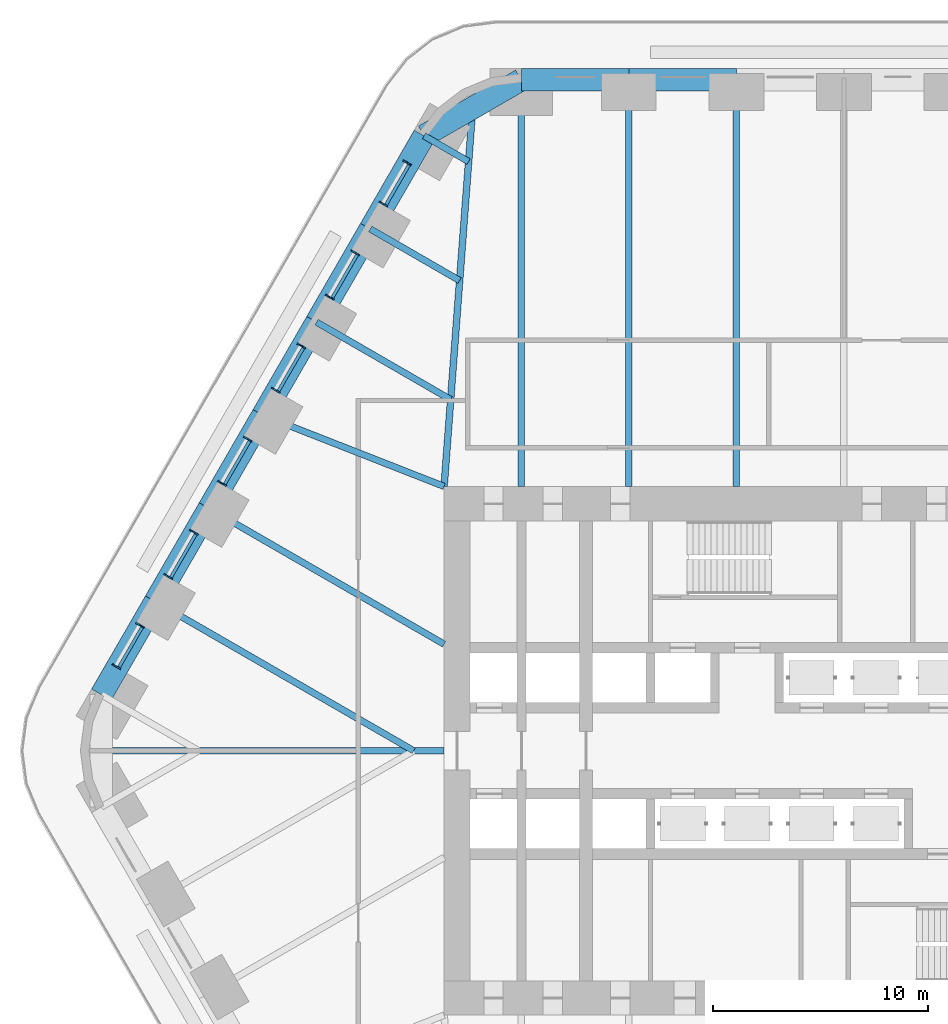
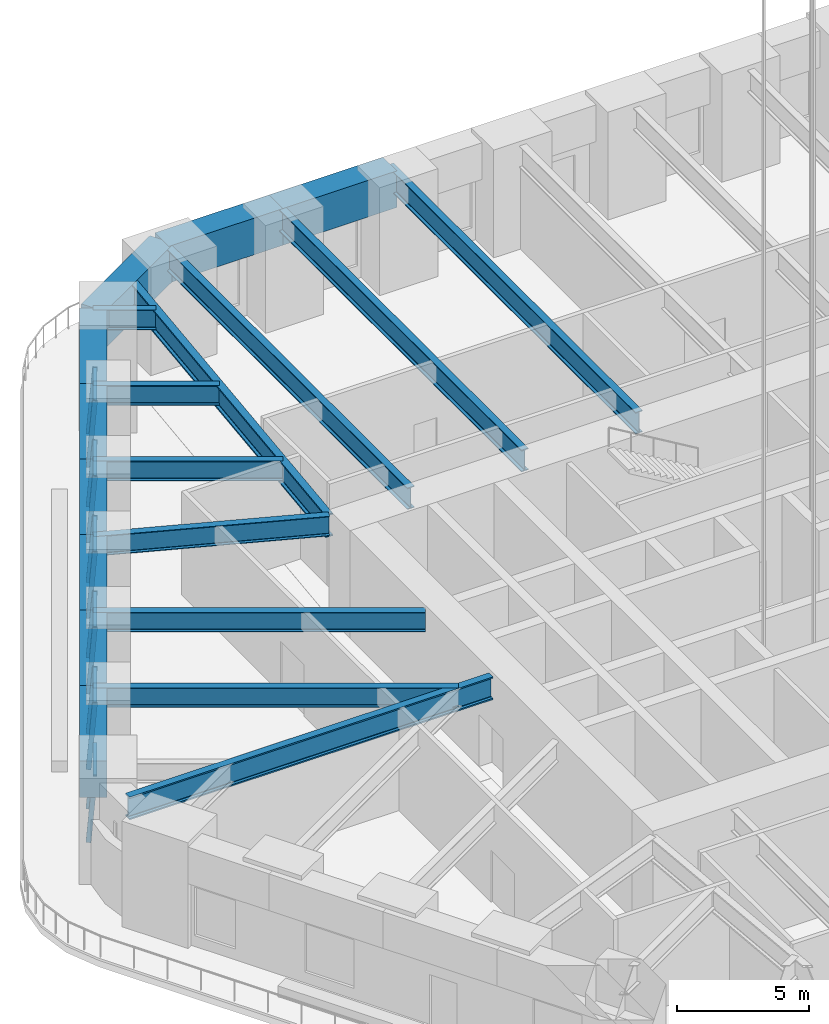
# One storey, part 4 of 15: 20 beams, 18 members, 6 elements without a shape of their own.
"""IFC4 building model written with IfcOpenShell, lengths in metres."""

from ifc_helpers import new_model, si_unit, direction, frame, origin, origin_2d, place, context, subcontext, project, spatial, rectangle, i_section, extrude, material, material_profile, profile_set, type_object, element, aggregate, save


model = new_model("IFC4")

# Units and contexts
model_context = context("Model", 3, precision=1e-05, world=origin(), true_north=direction((0.0, 1.0)))
body_context = subcontext(model_context, "Body", "Model", "MODEL_VIEW")
ifc_project = project(units=[si_unit("LENGTHUNIT", "METRE"), si_unit("AREAUNIT", "SQUARE_METRE"), si_unit("VOLUMEUNIT", "CUBIC_METRE"), si_unit("PLANEANGLEUNIT", "RADIAN"), si_unit("MASSUNIT", "GRAM", prefix="KILO")], contexts=[model_context])

# Site, building, storey
site_placement = place(None, origin())
site = spatial("IfcSite", under=ifc_project, at=site_placement, CompositionType="ELEMENT")
building_placement = place(site_placement, origin())
building = spatial("IfcBuilding", under=site, at=building_placement, Name="Tarfa Lantern Tower", CompositionType="ELEMENT")
storey_placement = place(building_placement, frame((0.0, 0.0, 114.5)))
storey = spatial("IfcBuildingStorey", under=building, at=storey_placement, Name="L25", CompositionType="ELEMENT", Elevation=114.5)

# Curtain wall, members
ifc_material_1 = material(Name="Aluminium framed curtain wall", Category="aluminium")
curtain_wall_type = type_object("IfcCurtainWallType", Name="CW5 CANTED GLAZING SKY LOBBY 3100", PredefinedType="USERDEFINED", material=ifc_material_1)
curtain_wall_1_placement = place(storey_placement, origin())
curtain_wall_1 = element("IfcCurtainWall", 1, at=curtain_wall_1_placement, inside=storey, type_object=curtain_wall_type, Name="CW5 NW L25", ObjectType="CURTAIN WALL", PredefinedType="USERDEFINED")
ifc_material_2 = material(Name="Aluminium mullion", Category="aluminium")
ifc_material_profile_1 = material_profile(ifc_material_2, rectangle(XDim=0.06494140625, YDim=0.199951171875, at=origin_2d()), Name="AL MULLION 65x200")
ifc_profile_set_1 = profile_set([ifc_material_profile_1], Name="Aluminium mullion")
member_type_1 = type_object("IfcMemberType", Name="CWM1 MULLION 65x200", PredefinedType="MULLION", material=ifc_profile_set_1)
member_1_placement = place(storey_placement, frame((-20.428955078125, 27.416015625, 0.0), z_axis=(0.069627412985, -0.040190795319, 0.99676312298), x_axis=(0.499919672301, 0.866071776036, 0.0)))
member_1 = element("IfcMember", 2, at=member_1_placement, type_object=member_type_1, Name="CW5 mullion 1", PredefinedType="MULLION", context=body_context, shape_type="SweptSolid", body=[
    extrude(rectangle(XDim=0.06494140625, YDim=0.199951171875, at=origin_2d()), origin(), (0.0, 0.0, 1.0), 3.110107421875),
])
member_2_placement = place(storey_placement, frame((-21.53564453125, 25.4990234375, 0.0), z_axis=(0.069549295252, -0.040191014864, 0.99676856785), x_axis=(0.500342721131, 0.865827443207, 0.0)))
member_2 = element("IfcMember", 3, at=member_2_placement, type_object=member_type_1, Name="CW5 mullion 2", PredefinedType="MULLION", context=body_context, shape_type="SweptSolid", body=[
    extrude(rectangle(XDim=0.06494140625, YDim=0.199951171875, at=origin_2d()), origin(), (0.0, 0.0, 1.0), 3.110107421875),
])

curtain_wall_2_placement = place(storey_placement, origin())
curtain_wall_2 = element("IfcCurtainWall", 4, at=curtain_wall_2_placement, inside=storey, type_object=curtain_wall_type, Name="CW5 NW L25", ObjectType="CURTAIN WALL", PredefinedType="USERDEFINED")
member_3_placement = place(storey_placement, frame((-22.84326171875, 23.234375, 0.0), z_axis=(0.069627412985, -0.040190795319, 0.99676312298), x_axis=(0.499919672301, 0.866071776036, 0.0)))
member_3 = element("IfcMember", 5, at=member_3_placement, type_object=member_type_1, Name="CW5 mullion 1", PredefinedType="MULLION", context=body_context, shape_type="SweptSolid", body=[
    extrude(rectangle(XDim=0.06494140625, YDim=0.199951171875, at=origin_2d()), origin(), (0.0, 0.0, 1.0), 3.110107421875),
])
member_4_placement = place(storey_placement, frame((-24.03759765625, 21.165771484375, 0.0), z_axis=(0.069627412985, -0.040190795319, 0.99676312298), x_axis=(0.499919672301, 0.866071776036, 0.0)))
member_4 = element("IfcMember", 6, at=member_4_placement, type_object=member_type_1, Name="CW5 mullion 2", PredefinedType="MULLION", context=body_context, shape_type="SweptSolid", body=[
    extrude(rectangle(XDim=0.06494140625, YDim=0.199951171875, at=origin_2d()), origin(), (0.0, 0.0, 1.0), 3.110107421875),
])

curtain_wall_3_placement = place(storey_placement, origin())
curtain_wall_3 = element("IfcCurtainWall", 7, at=curtain_wall_3_placement, inside=storey, type_object=curtain_wall_type, Name="CW5 NW L25", ObjectType="CURTAIN WALL", PredefinedType="USERDEFINED")
member_5_placement = place(storey_placement, frame((-25.34521484375, 18.901123046875, 0.0), z_axis=(0.069627412985, -0.040190795319, 0.99676312298), x_axis=(0.499919672301, 0.866071776036, 0.0)))
member_5 = element("IfcMember", 8, at=member_5_placement, type_object=member_type_1, Name="CW5 mullion 1", PredefinedType="MULLION", context=body_context, shape_type="SweptSolid", body=[
    extrude(rectangle(XDim=0.06494140625, YDim=0.199951171875, at=origin_2d()), origin(), (0.0, 0.0, 1.0), 3.110107421875),
])
member_6_placement = place(storey_placement, frame((-26.53955078125, 16.832275390625, 0.0), z_axis=(0.069627412985, -0.040190795319, 0.99676312298), x_axis=(0.499919672301, 0.866071776036, 0.0)))
member_6 = element("IfcMember", 9, at=member_6_placement, type_object=member_type_1, Name="CW5 mullion 2", PredefinedType="MULLION", context=body_context, shape_type="SweptSolid", body=[
    extrude(rectangle(XDim=0.06494140625, YDim=0.199951171875, at=origin_2d()), origin(), (0.0, 0.0, 1.0), 3.110107421875),
])

curtain_wall_4_placement = place(storey_placement, origin())
curtain_wall_4 = element("IfcCurtainWall", 10, at=curtain_wall_4_placement, inside=storey, type_object=curtain_wall_type, Name="CW5 NW L25", ObjectType="CURTAIN WALL", PredefinedType="USERDEFINED")
member_7_placement = place(storey_placement, frame((-27.846923828125, 14.567626953125, 0.0), z_axis=(0.069627412985, -0.040190795319, 0.99676312298), x_axis=(0.499919672301, 0.866071776036, 0.0)))
member_7 = element("IfcMember", 11, at=member_7_placement, type_object=member_type_1, Name="CW5 mullion 1", PredefinedType="MULLION", context=body_context, shape_type="SweptSolid", body=[
    extrude(rectangle(XDim=0.06494140625, YDim=0.199951171875, at=origin_2d()), origin(), (0.0, 0.0, 1.0), 3.110107421875),
])
member_8_placement = place(storey_placement, frame((-29.041259765625, 12.4990234375, 0.0), z_axis=(0.069627412985, -0.040190795319, 0.99676312298), x_axis=(0.499919672301, 0.866071776036, 0.0)))
member_8 = element("IfcMember", 12, at=member_8_placement, type_object=member_type_1, Name="CW5 mullion 2", PredefinedType="MULLION", context=body_context, shape_type="SweptSolid", body=[
    extrude(rectangle(XDim=0.06494140625, YDim=0.199951171875, at=origin_2d()), origin(), (0.0, 0.0, 1.0), 3.110107421875),
])

curtain_wall_5_placement = place(storey_placement, origin())
curtain_wall_5 = element("IfcCurtainWall", 13, at=curtain_wall_5_placement, inside=storey, type_object=curtain_wall_type, Name="CW5 NW L25", ObjectType="CURTAIN WALL", PredefinedType="USERDEFINED")
member_9_placement = place(storey_placement, frame((-30.348876953125, 10.234375, 0.0), z_axis=(0.069627412985, -0.040190795319, 0.99676312298), x_axis=(0.499919672301, 0.866071776036, 0.0)))
member_9 = element("IfcMember", 14, at=member_9_placement, type_object=member_type_1, Name="CW5 mullion 1", PredefinedType="MULLION", context=body_context, shape_type="SweptSolid", body=[
    extrude(rectangle(XDim=0.06494140625, YDim=0.199951171875, at=origin_2d()), origin(), (0.0, 0.0, 1.0), 3.110107421875),
])
member_10_placement = place(storey_placement, frame((-31.543212890625, 8.165771484375, 0.0), z_axis=(0.069627412985, -0.040190795319, 0.99676312298), x_axis=(0.499919672301, 0.866071776036, 0.0)))
member_10 = element("IfcMember", 15, at=member_10_placement, type_object=member_type_1, Name="CW5 mullion 2", PredefinedType="MULLION", context=body_context, shape_type="SweptSolid", body=[
    extrude(rectangle(XDim=0.06494140625, YDim=0.199951171875, at=origin_2d()), origin(), (0.0, 0.0, 1.0), 3.110107421875),
])

curtain_wall_6_placement = place(storey_placement, origin())
curtain_wall_6 = element("IfcCurtainWall", 16, at=curtain_wall_6_placement, inside=storey, type_object=curtain_wall_type, Name="CW5 NW L25", ObjectType="CURTAIN WALL", PredefinedType="USERDEFINED")
member_11_placement = place(storey_placement, frame((-32.8505859375, 5.901123046875, 0.0), z_axis=(0.069627412985, -0.040190795319, 0.99676312298), x_axis=(0.499919672301, 0.866071776036, 0.0)))
member_11 = element("IfcMember", 17, at=member_11_placement, type_object=member_type_1, Name="CW5 mullion 1", PredefinedType="MULLION", context=body_context, shape_type="SweptSolid", body=[
    extrude(rectangle(XDim=0.06494140625, YDim=0.199951171875, at=origin_2d()), origin(), (0.0, 0.0, 1.0), 3.110107421875),
])
member_12_placement = place(storey_placement, frame((-33.95751953125, 3.98388671875, 0.0), z_axis=(0.069627412985, -0.040190795319, 0.99676312298), x_axis=(0.499919672301, 0.866071776036, 0.0)))
member_12 = element("IfcMember", 18, at=member_12_placement, type_object=member_type_1, Name="CW5 mullion 2", PredefinedType="MULLION", context=body_context, shape_type="SweptSolid", body=[
    extrude(rectangle(XDim=0.06494140625, YDim=0.199951171875, at=origin_2d()), origin(), (0.0, 0.0, 1.0), 3.110107421875),
])

# Member
ifc_material_3 = material(Name="Aluminium transom", Category="aluminium")
ifc_material_profile_2 = material_profile(ifc_material_3, rectangle(XDim=0.14990234375, YDim=0.06494140625, at=origin_2d()), Name="AL TRANSOM 150x65")
ifc_profile_set_2 = profile_set([ifc_material_profile_2], Name="Aluminium transom")
member_type_2 = type_object("IfcMemberType", Name="CWT1 TRANSOM 150x65", PredefinedType="USERDEFINED", material=ifc_profile_set_2)
member_13_placement = place(storey_placement, frame((-20.23095703125, 27.26416015625, 3.0673828125), z_axis=(-0.500001158966, -0.866024734654, 0.0), x_axis=(0.866024734654, -0.500001158966, 0.0)))
member_13 = element("IfcMember", 19, at=member_13_placement, type_object=member_type_2, Name="CW5 transom 1.2", ObjectType="TRANSOM", PredefinedType="USERDEFINED", context=body_context, shape_type="SweptSolid", body=[
    extrude(rectangle(XDim=0.14990234375, YDim=0.06494140625, at=origin_2d()), origin(), (0.0, 0.0, 1.0), 2.1484375),
])

aggregate(curtain_wall_1, [member_1, member_2, member_13])

member_14_placement = place(storey_placement, frame((-22.645263671875, 23.08251953125, 3.0673828125), z_axis=(-0.499992256698, -0.866029874336, 0.0), x_axis=(0.866029874336, -0.499992256698, 0.0)))
member_14 = element("IfcMember", 20, at=member_14_placement, type_object=member_type_2, Name="CW5 transom 1.2", ObjectType="TRANSOM", PredefinedType="USERDEFINED", context=body_context, shape_type="SweptSolid", body=[
    extrude(rectangle(XDim=0.14990234375, YDim=0.06494140625, at=origin_2d()), origin(), (0.0, 0.0, 1.0), 2.32373046875),
])

aggregate(curtain_wall_2, [member_3, member_4, member_14])

member_15_placement = place(storey_placement, frame((-25.147216796875, 18.749267578125, 3.0673828125), z_axis=(-0.499992256698, -0.866029874336, 0.0), x_axis=(0.866029874336, -0.499992256698, 0.0)))
member_15 = element("IfcMember", 21, at=member_15_placement, type_object=member_type_2, Name="CW5 transom 1.2", ObjectType="TRANSOM", PredefinedType="USERDEFINED", context=body_context, shape_type="SweptSolid", body=[
    extrude(rectangle(XDim=0.14990234375, YDim=0.06494140625, at=origin_2d()), origin(), (0.0, 0.0, 1.0), 2.32373046875),
])

aggregate(curtain_wall_3, [member_5, member_6, member_15])

member_16_placement = place(storey_placement, frame((-27.64892578125, 14.415771484375, 3.0673828125), z_axis=(-0.500037753059, -0.866003605949, 0.0), x_axis=(0.866003605949, -0.500037753059, 0.0)))
member_16 = element("IfcMember", 22, at=member_16_placement, type_object=member_type_2, Name="CW5 transom 1.2", ObjectType="TRANSOM", PredefinedType="USERDEFINED", context=body_context, shape_type="SweptSolid", body=[
    extrude(rectangle(XDim=0.14990234375, YDim=0.06494140625, at=origin_2d()), origin(), (0.0, 0.0, 1.0), 2.323486328125),
])

aggregate(curtain_wall_4, [member_7, member_8, member_16])

member_17_placement = place(storey_placement, frame((-30.15087890625, 10.08251953125, 3.0673828125), z_axis=(-0.499992256698, -0.866029874336, 0.0), x_axis=(0.866029874336, -0.499992256698, 0.0)))
member_17 = element("IfcMember", 23, at=member_17_placement, type_object=member_type_2, Name="CW5 transom 1.2", ObjectType="TRANSOM", PredefinedType="USERDEFINED", context=body_context, shape_type="SweptSolid", body=[
    extrude(rectangle(XDim=0.14990234375, YDim=0.06494140625, at=origin_2d()), origin(), (0.0, 0.0, 1.0), 2.32373046875),
])

aggregate(curtain_wall_5, [member_9, member_10, member_17])

member_18_placement = place(storey_placement, frame((-32.652587890625, 5.749267578125, 3.0673828125), z_axis=(-0.500037174102, -0.866003940243, 0.0), x_axis=(0.866003940243, -0.500037174102, 0.0)))
member_18 = element("IfcMember", 24, at=member_18_placement, type_object=member_type_2, Name="CW5 transom 1.2", ObjectType="TRANSOM", PredefinedType="USERDEFINED", context=body_context, shape_type="SweptSolid", body=[
    extrude(rectangle(XDim=0.14990234375, YDim=0.06494140625, at=origin_2d()), origin(), (0.0, 0.0, 1.0), 2.148681640625),
])

aggregate(curtain_wall_6, [member_11, member_12, member_18])

# Beams
ifc_material_4 = material(Name="Concrete C80/95", Category="concrete")
ifc_material_profile_3 = material_profile(ifc_material_4, rectangle(XDim=1.050048828125, YDim=1.699951171875, at=origin_2d()), Name="RC 1050x1700")
ifc_profile_set_3 = profile_set([ifc_material_profile_3], Name="Concrete C80/95")
beam_type_1 = type_object("IfcBeamType", Name="RB2 RC 1050x1700", PredefinedType="BEAM", material=ifc_profile_set_3)
for number, where, z_axis, x_axis, name in (
    (25, (-5.003662109375, 31.219970703125, 3.949951171875), (-1.0, 0.0, 0.0), (0.0, -1.0, 0.0), "Edge beam N4"),
    (26, (-10.00732421875, 31.219970703125, 3.949951171875), (-1.0, 0.0, 0.0), (0.0, -1.0, 0.0), "Edge beam N5"),
):
    element("IfcBeam", number, at=place(storey_placement, frame(where, z_axis=z_axis, x_axis=x_axis)), inside=storey, type_object=beam_type_1, Name=name, PredefinedType="BEAM", context=body_context, shape_type="SweptSolid", body=[
        extrude(rectangle(XDim=1.050048828125, YDim=1.699951171875, at=origin_2d()), origin(), (0.0, 0.0, 1.0), 5.003662109375),
    ])
beam_1_placement = place(storey_placement, frame((-15.010986328125, 31.219970703125, 3.949951171875), z_axis=(-0.86604150238, -0.499972115377, 0.0), x_axis=(0.499972115377, -0.86604150238, 0.0)))
element("IfcBeam", 27, at=beam_1_placement, inside=storey, type_object=beam_type_1, Name="Edge beam N6", PredefinedType="BEAM", context=body_context, shape_type="SweptSolid", body=[
    extrude(rectangle(XDim=1.050048828125, YDim=1.699951171875, at=origin_2d()), origin(), (0.0, 0.0, 1.0), 5.219970703125),
])
beam_2_placement = place(storey_placement, frame((-19.53173828125, 28.610107421875, 3.949951171875), z_axis=(-0.500001197378, -0.866024712477, 0.0), x_axis=(0.866024712477, -0.500001197378, 0.0)))
element("IfcBeam", 28, at=beam_2_placement, inside=storey, type_object=beam_type_1, Name="Edge beam NW0", PredefinedType="BEAM", context=body_context, shape_type="SweptSolid", body=[
    extrude(rectangle(XDim=1.050048828125, YDim=1.699951171875, at=origin_2d()), origin(), (0.0, 0.0, 1.0), 5.00390625),
])
for number, where, z_axis, x_axis, name in (
    (29, (-22.03369140625, 24.276611328125, 3.949951171875), (-0.49998573051, -0.866033642122, 0.0), (0.866033642122, -0.49998573051, 0.0), "Edge beam NW1"),
    (30, (-24.535400390625, 19.943359375, 3.949951171875), (-0.500022324899, -0.866012514114, 0.0), (0.866012514114, -0.500022324899, 0.0), "Edge beam NW2"),
    (31, (-27.037353515625, 15.610107421875, 3.949951171875), (-0.499964603504, -0.866045838996, 0.0), (0.866045838996, -0.499964603504, 0.0), "Edge beam NW3"),
    (32, (-29.5390625, 11.276611328125, 3.949951171875), (-0.500022324899, -0.866012514114, 0.0), (0.866012514114, -0.500022324899, 0.0), "Edge beam NW4"),
    (33, (-32.041015625, 6.943359375, 3.949951171875), (-0.500022324899, -0.866012514114, 0.0), (0.866012514114, -0.500022324899, 0.0), "Edge beam NW5"),
):
    element("IfcBeam", number, at=place(storey_placement, frame(where, z_axis=z_axis, x_axis=x_axis)), inside=storey, type_object=beam_type_1, Name=name, PredefinedType="BEAM", context=body_context, shape_type="SweptSolid", body=[
        extrude(rectangle(XDim=1.050048828125, YDim=1.699951171875, at=origin_2d()), origin(), (0.0, 0.0, 1.0), 5.003662109375),
    ])
ifc_material_5 = material(Name="Steel S460M", Category="steel")
ifc_material_profile_4 = material_profile(ifc_material_5, i_section(OverallWidth=0.302001953125, OverallDepth=1.008056640625, WebThickness=0.02099609375, FlangeThickness=0.0400390625, FilletRadius=0.030029296875, at=origin_2d()), Name="UB1016x305x349")
ifc_profile_set_4 = profile_set([ifc_material_profile_4], Name="Steel S460M")
beam_type_2 = type_object("IfcBeamType", Name="UB1016x305x349", PredefinedType="BEAM", material=ifc_profile_set_4)
for number, where, z_axis, x_axis, name in (
    (34, (-5.003662109375, 31.219970703125, 4.2958984375), (0.0, -1.0, 0.0), (1.0, 0.0, 0.0), "Floor beam N4"),
    (35, (-10.00732421875, 31.219970703125, 4.2958984375), (0.0, -1.0, 0.0), (1.0, 0.0, 0.0), "Floor beam N5"),
    (36, (-15.010986328125, 31.219970703125, 4.2958984375), (0.0, -1.0, 0.0), (1.0, 0.0, 0.0), "Floor beam N6"),
):
    element("IfcBeam", number, at=place(storey_placement, frame(where, z_axis=z_axis, x_axis=x_axis)), inside=storey, type_object=beam_type_2, Name=name, PredefinedType="BEAM", context=body_context, shape_type="SweptSolid", body=[
        extrude(i_section(OverallWidth=0.302001953125, OverallDepth=1.008056640625, WebThickness=0.02099609375, FlangeThickness=0.0400390625, FilletRadius=0.030029296875, at=origin_2d()), origin(), (0.0, 0.0, 1.0), 18.919921875),
    ])
ifc_material_profile_5 = material_profile(ifc_material_5, i_section(OverallWidth=0.314208984375, OverallDepth=1.055908203125, WebThickness=0.035888671875, FlangeThickness=0.06396484375, FilletRadius=0.030029296875, at=origin_2d()), Name="UB1016x305x584")
ifc_profile_set_5 = profile_set([ifc_material_profile_5], Name="Steel S460M")
beam_type_3 = type_object("IfcBeamType", Name="UB1016x305x584", PredefinedType="BEAM", material=ifc_profile_set_5)
beam_3_placement = place(storey_placement, frame((-18.60009765625, 12.300048828125, 4.27197265625), z_axis=(0.075211516041, 0.99716760269, 0.0), x_axis=(-0.99716760269, 0.075211516041, 0.0)))
element("IfcBeam", 37, at=beam_3_placement, inside=storey, type_object=beam_type_3, Name="Hip girder NW", PredefinedType="BEAM", context=body_context, shape_type="SweptSolid", body=[
    extrude(i_section(OverallWidth=0.314208984375, OverallDepth=1.055908203125, WebThickness=0.035888671875, FlangeThickness=0.06396484375, FilletRadius=0.030029296875, at=origin_2d()), origin(), (0.0, 0.0, 1.0), 17.6650390625),
])
beam_4_placement = place(storey_placement, frame((-18.60009765625, 0.0, 4.27197265625), z_axis=(-1.0, 0.0, 0.0), x_axis=(0.0, -1.0, 0.0)))
element("IfcBeam", 38, at=beam_4_placement, inside=storey, type_object=beam_type_3, Name="Hip girder W", PredefinedType="BEAM", context=body_context, shape_type="SweptSolid", body=[
    extrude(i_section(OverallWidth=0.314208984375, OverallDepth=1.055908203125, WebThickness=0.035888671875, FlangeThickness=0.06396484375, FilletRadius=0.030029296875, at=origin_2d()), origin(), (0.0, 0.0, 1.0), 15.94287109375),
])
ifc_material_profile_6 = material_profile(ifc_material_5, i_section(OverallWidth=0.305419921875, OverallDepth=0.91845703125, WebThickness=0.017333984375, FlangeThickness=0.02783203125, FilletRadius=0.01904296875, at=origin_2d()), Name="UB914x305x253")
ifc_profile_set_6 = profile_set([ifc_material_profile_6], Name="Steel S460M")
beam_type_4 = type_object("IfcBeamType", Name="UB914x305x253", PredefinedType="BEAM", material=ifc_profile_set_6)
beam_5_placement = place(storey_placement, frame((-19.53173828125, 28.610107421875, 4.3408203125), z_axis=(0.865998640954, -0.500046351717, 0.0), x_axis=(0.500046351717, 0.865998640954, 0.0)))
element("IfcBeam", 39, at=beam_5_placement, inside=storey, type_object=beam_type_4, Name="Floor beam NW0", PredefinedType="BEAM", context=body_context, shape_type="SweptSolid", body=[
    extrude(i_section(OverallWidth=0.305419921875, OverallDepth=0.91845703125, WebThickness=0.017333984375, FlangeThickness=0.02783203125, FilletRadius=0.01904296875, at=origin_2d()), origin(), (0.0, 0.0, 1.0), 2.392333984375),
])
beam_6_placement = place(storey_placement, frame((-22.03369140625, 24.276611328125, 4.3408203125), z_axis=(0.866030550462, -0.499991085587, 0.0), x_axis=(0.499991085587, 0.866030550462, 0.0)))
element("IfcBeam", 40, at=beam_6_placement, inside=storey, type_object=beam_type_4, Name="Floor beam NW1", PredefinedType="BEAM", context=body_context, shape_type="SweptSolid", body=[
    extrude(i_section(OverallWidth=0.305419921875, OverallDepth=0.91845703125, WebThickness=0.017333984375, FlangeThickness=0.02783203125, FilletRadius=0.01904296875, at=origin_2d()), origin(), (0.0, 0.0, 1.0), 4.798828125),
])
beam_7_placement = place(storey_placement, frame((-24.535400390625, 19.943359375, 4.3408203125), z_axis=(0.86602647304, -0.499998147991, 0.0), x_axis=(0.499998147991, 0.86602647304, 0.0)))
element("IfcBeam", 41, at=beam_7_placement, inside=storey, type_object=beam_type_4, Name="Floor beam NW2", PredefinedType="BEAM", context=body_context, shape_type="SweptSolid", body=[
    extrude(i_section(OverallWidth=0.305419921875, OverallDepth=0.91845703125, WebThickness=0.017333984375, FlangeThickness=0.02783203125, FilletRadius=0.01904296875, at=origin_2d()), origin(), (0.0, 0.0, 1.0), 7.20556640625),
])
beam_8_placement = place(storey_placement, frame((-27.037353515625, 15.610107421875, 4.3408203125), z_axis=(0.930923282782, -0.365214788274, 0.0), x_axis=(0.365214788274, 0.930923282782, 0.0)))
element("IfcBeam", 42, at=beam_8_placement, inside=storey, type_object=beam_type_4, Name="Floor beam NW3", PredefinedType="BEAM", context=body_context, shape_type="SweptSolid", body=[
    extrude(i_section(OverallWidth=0.305419921875, OverallDepth=0.91845703125, WebThickness=0.017333984375, FlangeThickness=0.02783203125, FilletRadius=0.01904296875, at=origin_2d()), origin(), (0.0, 0.0, 1.0), 9.063232421875),
])
beam_9_placement = place(storey_placement, frame((-29.5390625, 11.276611328125, 4.3408203125), z_axis=(0.866023362995, -0.500003534735, 0.0), x_axis=(0.500003534735, 0.866023362995, 0.0)))
element("IfcBeam", 43, at=beam_9_placement, inside=storey, type_object=beam_type_4, Name="Floor beam NW4", PredefinedType="BEAM", context=body_context, shape_type="SweptSolid", body=[
    extrude(i_section(OverallWidth=0.305419921875, OverallDepth=0.91845703125, WebThickness=0.017333984375, FlangeThickness=0.02783203125, FilletRadius=0.01904296875, at=origin_2d()), origin(), (0.0, 0.0, 1.0), 12.63134765625),
])
beam_10_placement = place(storey_placement, frame((-32.041015625, 6.943359375, 4.3408203125), z_axis=(0.866023096411, -0.500003996466, 0.0), x_axis=(0.500003996466, 0.866023096411, 0.0)))
element("IfcBeam", 44, at=beam_10_placement, inside=storey, type_object=beam_type_4, Name="Floor beam NW5", PredefinedType="BEAM", context=body_context, shape_type="SweptSolid", body=[
    extrude(i_section(OverallWidth=0.305419921875, OverallDepth=0.91845703125, WebThickness=0.017333984375, FlangeThickness=0.02783203125, FilletRadius=0.01904296875, at=origin_2d()), origin(), (0.0, 0.0, 1.0), 13.88671875),
])

save(model, "model.ifc")
